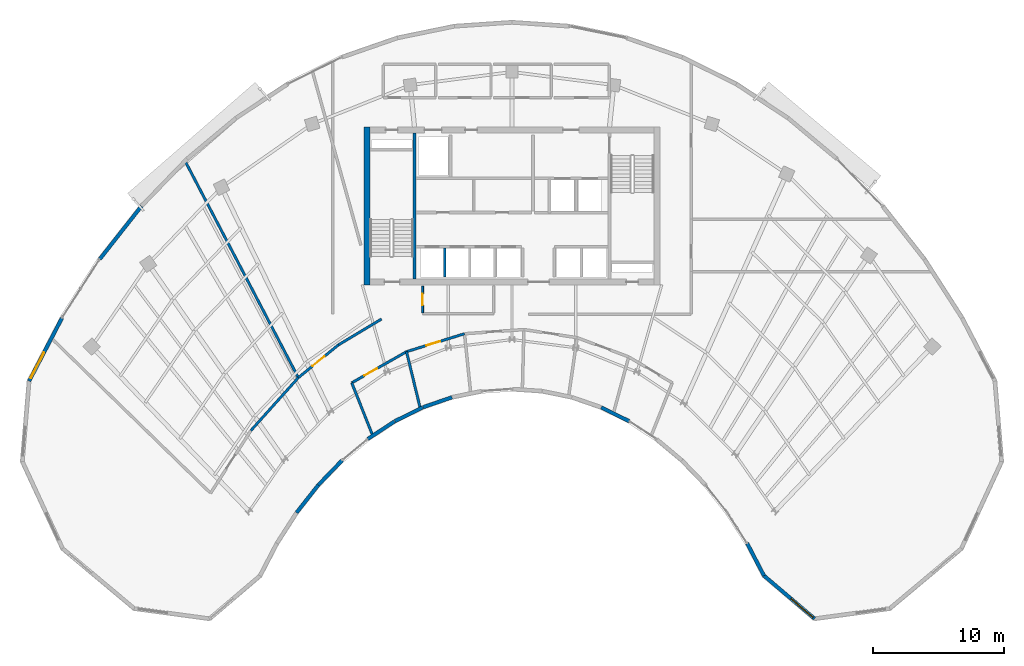
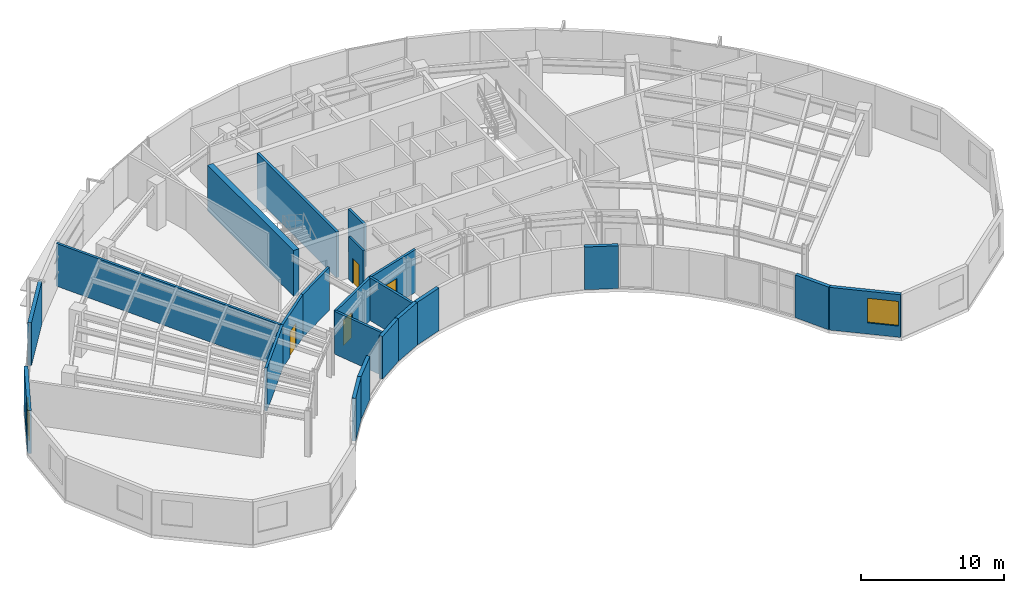
# One storey, part 8 of 14: 22 walls, 4 doors, 2 windows, 6 openings.
"""IFC4 building model written with IfcOpenShell, lengths in metres."""

from ifc_helpers import new_model, si_unit, direction, frame, frame_2d, origin, place, context, subcontext, project, spatial, rectangle, extrude, source, transform, mapped, material, layer, layer_set, type_object, type_shapes, element, fill, save


model = new_model("IFC4")

# Units and contexts
model_context = context("Model", 3, precision=1e-05, world=origin(), true_north=direction((0.0, 1.0)))
body_context = subcontext(model_context, "Body", "Model", "MODEL_VIEW")
ifc_project = project(units=[si_unit("LENGTHUNIT", "METRE"), si_unit("AREAUNIT", "SQUARE_METRE"), si_unit("VOLUMEUNIT", "CUBIC_METRE"), si_unit("PLANEANGLEUNIT", "RADIAN"), si_unit("MASSUNIT", "GRAM", prefix="KILO")], contexts=[model_context])

# Site, building, storey
site_placement = place(None, origin())
site = spatial("IfcSite", under=ifc_project, at=site_placement, CompositionType="ELEMENT")
building_placement = place(site_placement, origin())
building = spatial("IfcBuilding", under=site, at=building_placement, Name="Breltana Convention Tower", CompositionType="ELEMENT")
storey_placement = place(building_placement, frame((0.0, 0.0, 215.699951171875)))
storey = spatial("IfcBuildingStorey", under=building, at=storey_placement, Name="L52", CompositionType="ELEMENT", Elevation=215.699951171875)

# Walls
ifc_material_1 = material(Name="Concrete C60/75", Category="concrete")
ifc_layer_1 = layer(ifc_material_1, 0.449951171875, Name="Concrete C60/75")
ifc_layer_set_1 = layer_set([ifc_layer_1], Name="Concrete C60/75")
wall_type_1 = type_object("IfcWallType", Name="SW-CORE-450", PredefinedType="SHEAR", material=ifc_layer_set_1)
shared_shape_1 = source(origin(), body_context, "Body", "SweptSolid", [
    extrude(rectangle(XDim=12.0, YDim=0.449951171875, at=frame_2d((6.0, 0.0))), origin(), (0.0, 0.0, 1.0), 3.900146484375),
])
wall_1_placement = place(storey_placement, frame((36.97509765625, 60.199951171875, 0.0), z_axis=(0.0, 0.0, 1.0), x_axis=(0.0, 1.0, 0.0)))
element("IfcWall", 1, at=wall_1_placement, inside=storey, type_object=wall_type_1, Name="L52 West Core Shear Wall", PredefinedType="SHEAR", context=body_context, shape_type="MappedRepresentation", body=[
    mapped(shared_shape_1, transform((0.0, 0.0, 0.0), scale=1.0)),
])
ifc_material_2 = material(Name="Concrete C50/60", Category="concrete")
ifc_layer_2 = layer(ifc_material_2, 0.39990234375, Name="Concrete C50/60")
ifc_layer_set_2 = layer_set([ifc_layer_2], Name="Concrete C50/60")
wall_type_2 = type_object("IfcWallType", Name="SW-CORE-400", PredefinedType="SHEAR", material=ifc_layer_set_2)
shared_shape_2 = source(origin(), body_context, "Body", "SweptSolid", [
    extrude(rectangle(XDim=11.10009765625, YDim=0.219970703125, at=frame_2d((5.550048828125, 0.0))), origin(), (0.0, 0.0, 1.0), 3.900146484375),
])
wall_2_placement = place(storey_placement, frame((40.580078125, 60.64990234375, 0.0), z_axis=(0.0, 0.0, 1.0), x_axis=(0.0, 1.0, 0.0)))
element("IfcWall", 2, at=wall_2_placement, inside=storey, type_object=wall_type_2, Name="L52 Core West Stair Spine Wall", PredefinedType="SHEAR", context=body_context, shape_type="MappedRepresentation", body=[
    mapped(shared_shape_2, transform((0.0, 0.0, 0.0), scale=1.0)),
])

# Wall, opening, window
ifc_material_3 = material(Name="Limestone Buff Insulated Wall", Category="masonry")
ifc_layer_3 = layer(ifc_material_3, 0.280029296875, Name="Limestone Buff Insulated Wall")
ifc_layer_set_3 = layer_set([ifc_layer_3], Name="Limestone Buff Insulated Wall")
wall_type_3 = type_object("IfcWallType", Name="WL-EXT-NOSE-280", PredefinedType="SOLIDWALL", material=ifc_layer_set_3)
shared_shape_3 = source(origin(), body_context, "Body", "SweptSolid", [
    extrude(rectangle(XDim=5.051025390625, YDim=0.280029296875, at=frame_2d((2.525390625, 0.0))), origin(), (0.0, 0.0, 1.0), 3.64013671875),
])
wall_3_placement = place(storey_placement, frame((71.030517578125, 34.784423828125, 0.0), z_axis=(0.0, 0.0, 1.0), x_axis=(-0.761904731537, 0.647689107568, 0.0)))
wall_3 = element("IfcWall", 3, at=wall_3_placement, inside=storey, type_object=wall_type_3, Name="L52 curved limestone nose wall E5", PredefinedType="SOLIDWALL", context=body_context, shape_type="MappedRepresentation", body=[
    mapped(shared_shape_3, transform((0.0, 0.0, 0.0), scale=1.0)),
])
opening_1_placement = place(wall_3_placement, frame((0.16259765625, 0.0, 0.949951171875)))
opening_1 = element("IfcOpeningElement", 4, at=opening_1_placement, cuts=wall_3, Name="Opening W-03", PredefinedType="OPENING", context=body_context, shape_type="SweptSolid", body=[
    extrude(rectangle(XDim=2.199951171875, YDim=2.10009765625, at=frame_2d((1.10009765625, 1.050048828125))), frame((0.0, 0.14990234375, 0.0), z_axis=(0.0, -1.0, 0.0), x_axis=(1.0, 0.0, 0.0)), (0.0, 0.0, 1.0), 0.300048828125),
])
ifc_material_4 = material(Name="Glass Low-E Insulated Window", Category="glass")
window_type = type_object("IfcWindowType", Name="WN-NOSE-2200X2100", PartitioningType="TRIPLE_PANEL_VERTICAL", PredefinedType="WINDOW", material=ifc_material_4)
shared_shape_4 = source(origin(), body_context, "Body", "SweptSolid", [
    extrude(rectangle(XDim=2.199951171875, YDim=2.10009765625, at=frame_2d((1.10009765625, 1.050048828125))), frame((0.0, 0.030029296875, 0.0), z_axis=(0.0, -1.0, 0.0), x_axis=(1.0, 0.0, 0.0)), (0.0, 0.0, 1.0), 0.06005859375),
])
type_shapes(window_type, [shared_shape_4])
window_1_placement = place(opening_1_placement, origin())
window_1 = element("IfcWindow", 5, at=window_1_placement, inside=storey, type_object=window_type, Name="L52 nose window E5", OverallHeight=2.10009765625, OverallWidth=2.199951171875, PartitioningType="TRIPLE_PANEL_VERTICAL", PredefinedType="WINDOW", context=body_context, shape_type="MappedRepresentation", body=[
    mapped(shared_shape_4, transform((0.0, 0.0, 0.0), scale=1.0)),
])
fill(opening_1, window_1)

# Walls
shared_shape_5 = source(origin(), body_context, "Body", "SweptSolid", [
    extrude(rectangle(XDim=2.779296875, YDim=0.280029296875, at=frame_2d((1.3896484375, 0.0))), origin(), (0.0, 0.0, 1.0), 3.64013671875),
])
wall_4_placement = place(storey_placement, frame((67.18212890625, 38.055908203125, 0.0), z_axis=(0.0, 0.0, 1.0), x_axis=(-0.461770308601, 0.886999538948, 0.0)))
element("IfcWall", 6, at=wall_4_placement, inside=storey, type_object=wall_type_3, Name="L52 curved limestone nose wall E6", PredefinedType="SOLIDWALL", context=body_context, shape_type="MappedRepresentation", body=[
    mapped(shared_shape_5, transform((0.0, 0.0, 0.0), scale=1.0)),
])
shared_shape_6 = source(origin(), body_context, "Body", "SweptSolid", [
    extrude(rectangle(XDim=2.587646484375, YDim=0.280029296875, at=frame_2d((1.2939453125, 0.0))), origin(), (0.0, 0.0, 1.0), 3.64013671875),
])
wall_5_placement = place(storey_placement, frame((35.05810546875, 46.82763671875, 0.0), z_axis=(0.0, 0.0, 1.0), x_axis=(-0.694687114507, -0.719312041424, 0.0)))
element("IfcWall", 7, at=wall_5_placement, inside=storey, type_object=wall_type_3, Name="L52 curved limestone nose wall E17", PredefinedType="SOLIDWALL", context=body_context, shape_type="MappedRepresentation", body=[
    mapped(shared_shape_6, transform((0.0, 0.0, 0.0), scale=1.0)),
])
shared_shape_7 = source(origin(), body_context, "Body", "SweptSolid", [
    extrude(rectangle(XDim=2.440185546875, YDim=0.280029296875, at=frame_2d((1.22021484375, 0.0))), origin(), (0.0, 0.0, 1.0), 3.64013671875),
])
wall_6_placement = place(storey_placement, frame((39.05712890625, 49.80078125, 0.0), z_axis=(0.0, 0.0, 1.0), x_axis=(-0.83598480459, -0.548752591333, 0.0)))
element("IfcWall", 8, at=wall_6_placement, inside=storey, type_object=wall_type_3, Name="L52 curved limestone nose wall E16", PredefinedType="SOLIDWALL", context=body_context, shape_type="MappedRepresentation", body=[
    mapped(shared_shape_7, transform((0.0, 0.0, 0.0), scale=1.0)),
])
shared_shape_8 = source(origin(), body_context, "Body", "SweptSolid", [
    extrude(rectangle(XDim=2.327880859375, YDim=0.280029296875, at=frame_2d((1.1640625, 0.0))), origin(), (0.0, 0.0, 1.0), 3.64013671875),
])
wall_7_placement = place(storey_placement, frame((43.427001953125, 51.638671875, 0.0), z_axis=(0.0, 0.0, 1.0), x_axis=(-0.944872545641, -0.32743834915, 0.0)))
element("IfcWall", 9, at=wall_7_placement, inside=storey, type_object=wall_type_3, Name="L52 curved limestone nose wall E14", PredefinedType="SOLIDWALL", context=body_context, shape_type="MappedRepresentation", body=[
    mapped(shared_shape_8, transform((0.0, 0.0, 0.0), scale=1.0)),
])
shared_shape_9 = source(origin(), body_context, "Body", "SweptSolid", [
    extrude(rectangle(XDim=2.377685546875, YDim=0.280029296875, at=frame_2d((1.18896484375, 0.0))), origin(), (0.0, 0.0, 1.0), 3.64013671875),
])
for number, where, z_axis, x_axis, name in (
    (10, (56.923828125, 49.8115234375, 0.0), (0.0, 0.0, 1.0), (-0.895941616831, 0.444171835252, 0.0), "L52 curved limestone nose wall E9"),
    (11, (41.20654296875, 50.86767578125, 0.0), (0.0, 0.0, 1.0), (-0.895941616831, -0.444171835252, 0.0), "L52 curved limestone nose wall E15"),
):
    element("IfcWall", number, at=place(storey_placement, frame(where, z_axis=z_axis, x_axis=x_axis)), inside=storey, type_object=wall_type_3, Name=name, PredefinedType="SOLIDWALL", context=body_context, shape_type="MappedRepresentation", body=[
        mapped(shared_shape_9, transform((0.0, 0.0, 0.0), scale=1.0)),
    ])
shared_shape_10 = source(origin(), body_context, "Body", "SweptSolid", [
    extrude(rectangle(XDim=2.66552734375, YDim=0.280029296875, at=frame_2d((1.332763671875, 0.0))), origin(), (0.0, 0.0, 1.0), 3.64013671875),
])
wall_8_placement = place(storey_placement, frame((33.24853515625, 44.952392578125, 0.0), z_axis=(0.0, 0.0, 1.0), x_axis=(-0.618161284122, -0.786051287648, 0.0)))
element("IfcWall", 12, at=wall_8_placement, inside=storey, type_object=wall_type_3, Name="L52 curved limestone nose wall E18", PredefinedType="SOLIDWALL", context=body_context, shape_type="MappedRepresentation", body=[
    mapped(shared_shape_10, transform((0.0, 0.0, 0.0), scale=1.0)),
])

# Wall, opening, window
shared_shape_11 = source(origin(), body_context, "Body", "SweptSolid", [
    extrude(rectangle(XDim=5.41552734375, YDim=0.280029296875, at=frame_2d((2.707763671875, 0.0))), origin(), (0.0, 0.0, 1.0), 3.64013671875),
])
wall_9_placement = place(storey_placement, frame((11.243896484375, 52.87353515625, 0.0), z_axis=(0.0, 0.0, 1.0), x_axis=(0.46177852435, 0.886995261796, 0.0)))
wall_9 = element("IfcWall", 13, at=wall_9_placement, inside=storey, type_object=wall_type_3, Name="L52 curved limestone nose wall W7", PredefinedType="SOLIDWALL", context=body_context, shape_type="MappedRepresentation", body=[
    mapped(shared_shape_11, transform((0.0, 0.0, 0.0), scale=1.0)),
])
opening_2_placement = place(wall_9_placement, frame((0.25390625, 0.0, 0.949951171875)))
opening_2 = element("IfcOpeningElement", 14, at=opening_2_placement, cuts=wall_9, Name="Opening W-03", PredefinedType="OPENING", context=body_context, shape_type="SweptSolid", body=[
    extrude(rectangle(XDim=2.199951171875, YDim=2.10009765625, at=frame_2d((1.10009765625, 1.050048828125))), frame((0.0, 0.14990234375, 0.0), z_axis=(0.0, -1.0, 0.0), x_axis=(1.0, 0.0, 0.0)), (0.0, 0.0, 1.0), 0.300048828125),
])
window_2_placement = place(opening_2_placement, origin())
window_2 = element("IfcWindow", 15, at=window_2_placement, inside=storey, type_object=window_type, Name="L52 nose window W7", OverallHeight=2.10009765625, OverallWidth=2.199951171875, PartitioningType="TRIPLE_PANEL_VERTICAL", PredefinedType="WINDOW", context=body_context, shape_type="MappedRepresentation", body=[
    mapped(shared_shape_4, transform((0.0, 0.0, 0.0), scale=1.0)),
])
fill(opening_2, window_2)

# Walls
shared_shape_12 = source(origin(), body_context, "Body", "SweptSolid", [
    extrude(rectangle(XDim=5.153076171875, YDim=0.280029296875, at=frame_2d((2.57666015625, 0.0))), origin(), (0.0, 0.0, 1.0), 3.64013671875),
])
wall_10_placement = place(storey_placement, frame((16.609130859375, 62.1396484375, 0.0), z_axis=(0.0, 0.0, 1.0), x_axis=(0.618179283891, 0.786037132054, 0.0)))
element("IfcWall", 16, at=wall_10_placement, inside=storey, type_object=wall_type_3, Name="L52 curved limestone nose wall E20", PredefinedType="SOLIDWALL", context=body_context, shape_type="MappedRepresentation", body=[
    mapped(shared_shape_12, transform((0.0, 0.0, 0.0), scale=1.0)),
])
ifc_material_5 = material(Name="Autoclaved Aerated Concrete Block", Category="concrete")
ifc_layer_4 = layer(ifc_material_5, 0.199951171875, Name="Autoclaved Aerated Concrete Block")
ifc_layer_set_4 = layer_set([ifc_layer_4], Name="Autoclaved Aerated Concrete Block")
wall_type_4 = type_object("IfcWallType", Name="WL-SHAFT-200", PredefinedType="SOLIDWALL", material=ifc_layer_set_4)
shared_shape_13 = source(origin(), body_context, "Body", "SweptSolid", [
    extrude(rectangle(XDim=2.199951171875, YDim=0.199951171875, at=frame_2d((1.10009765625, 0.0))), origin(), (0.0, 0.0, 1.0), 3.64013671875),
])
wall_11_placement = place(storey_placement, frame((42.8701171875, 60.800048828125, 0.0), z_axis=(0.0, 0.0, 1.0), x_axis=(0.0, 1.0, 0.0)))
element("IfcWall", 17, at=wall_11_placement, inside=storey, type_object=wall_type_4, Name="L52 interior partition W-L52-SH-S-DIV1", PredefinedType="SOLIDWALL", context=body_context, shape_type="MappedRepresentation", body=[
    mapped(shared_shape_13, transform((0.0, 0.0, 0.0), scale=1.0)),
])

# Wall, opening, door
ifc_material_6 = material(Name="Gypsum Acoustic Drywall Partition")
ifc_layer_5 = layer(ifc_material_6, 0.14990234375, Name="Gypsum Acoustic Drywall Partition")
ifc_layer_set_5 = layer_set([ifc_layer_5], Name="Gypsum Acoustic Drywall Partition")
wall_type_5 = type_object("IfcWallType", Name="WL-PART-150", PredefinedType="PARTITIONING", material=ifc_layer_set_5)
shared_shape_14 = source(origin(), body_context, "Body", "SweptSolid", [
    extrude(rectangle(XDim=2.03271484375, YDim=0.14990234375, at=frame_2d((1.016357421875, 0.0))), origin(), (0.0, 0.0, 1.0), 3.64013671875),
])
wall_12_placement = place(storey_placement, frame((41.199951171875, 58.0673828125, 0.0), z_axis=(0.0, 0.0, 1.0), x_axis=(0.0, 1.0, 0.0)))
wall_12 = element("IfcWall", 18, at=wall_12_placement, inside=storey, type_object=wall_type_5, Name="L52 interior partition W-L52-CRSC-W", PredefinedType="PARTITIONING", context=body_context, shape_type="MappedRepresentation", body=[
    mapped(shared_shape_14, transform((0.0, 0.0, 0.0), scale=1.0)),
])
opening_3_placement = place(wall_12_placement, frame((0.59130859375, 0.0, 0.0)))
opening_3 = element("IfcOpeningElement", 19, at=opening_3_placement, cuts=wall_12, Name="Opening D-20", PredefinedType="OPENING", context=body_context, shape_type="SweptSolid", body=[
    extrude(rectangle(XDim=0.85009765625, YDim=2.10009765625, at=frame_2d((0.425048828125, 1.050048828125))), frame((0.0, 0.0849609375, 0.0), z_axis=(0.0, -1.0, 0.0), x_axis=(1.0, 0.0, 0.0)), (0.0, 0.0, 1.0), 0.169921875),
])
ifc_material_7 = material(Name="Steel Closet Fire Door", Category="steel")
door_type_1 = type_object("IfcDoorType", Name="DR-FD60-850", OperationType="NOTDEFINED", PredefinedType="DOOR", material=ifc_material_7)
shared_shape_15 = source(origin(), body_context, "Body", "SweptSolid", [
    extrude(rectangle(XDim=0.85009765625, YDim=2.10009765625, at=frame_2d((0.425048828125, 1.050048828125))), frame((0.0, 0.02490234375, 0.0), z_axis=(0.0, -1.0, 0.0), x_axis=(1.0, 0.0, 0.0)), (0.0, 0.0, 1.0), 0.050048828125),
])
type_shapes(door_type_1, [shared_shape_15])
door_1_placement = place(opening_3_placement, origin())
door_1 = element("IfcDoor", 20, at=door_1_placement, inside=storey, type_object=door_type_1, Name="L52 interior door D-L52-CRSC", OperationType="SINGLE_SWING_LEFT", OverallHeight=2.10009765625, OverallWidth=0.85009765625, PredefinedType="DOOR", context=body_context, shape_type="MappedRepresentation", body=[
    mapped(shared_shape_15, transform((0.0, 0.0, 0.0), scale=1.0)),
])
fill(opening_3, door_1)

ifc_material_8 = material(Name="Gypsum Acoustic Hotel Wall")
ifc_layer_6 = layer(ifc_material_8, 0.195068359375, Name="Gypsum Acoustic Hotel Wall")
ifc_layer_set_6 = layer_set([ifc_layer_6], Name="Gypsum Acoustic Hotel Wall")
wall_type_6 = type_object("IfcWallType", Name="WL-HOTEL-200", PredefinedType="PARTITIONING", material=ifc_layer_set_6)
shared_shape_16 = source(origin(), body_context, "Body", "SweptSolid", [
    extrude(rectangle(XDim=4.7958984375, YDim=0.195068359375, at=frame_2d((2.39794921875, 0.0))), origin(), (0.0, 0.0, 1.0), 3.64013671875),
])
wall_13_placement = place(storey_placement, frame((35.802978515625, 52.73828125, 0.0), z_axis=(0.0, 0.0, 1.0), x_axis=(0.869231352707, 0.494405557686, 0.0)))
wall_13 = element("IfcWall", 21, at=wall_13_placement, inside=storey, type_object=wall_type_6, Name="L52 interior partition W-L52-ES1-COR", PredefinedType="PARTITIONING", context=body_context, shape_type="MappedRepresentation", body=[
    mapped(shared_shape_16, transform((0.0, 0.0, 0.0), scale=1.0)),
])
opening_4_placement = place(wall_13_placement, frame((1.097900390625, 0.0, 0.0)))
opening_4 = element("IfcOpeningElement", 22, at=opening_4_placement, cuts=wall_13, Name="Opening D-12", PredefinedType="OPENING", context=body_context, shape_type="SweptSolid", body=[
    extrude(rectangle(XDim=1.10009765625, YDim=2.14990234375, at=frame_2d((0.550048828125, 1.074951171875))), frame((0.0, 0.107421875, 0.0), z_axis=(0.0, -1.0, 0.0), x_axis=(1.0, 0.0, 0.0)), (0.0, 0.0, 1.0), 0.215087890625),
])
ifc_material_9 = material(Name="Timber Oak Acoustic Door", Category="wood")
door_type_2 = type_object("IfcDoorType", Name="DR-INT-1100", OperationType="NOTDEFINED", PredefinedType="DOOR", material=ifc_material_9)
shared_shape_17 = source(origin(), body_context, "Body", "SweptSolid", [
    extrude(rectangle(XDim=1.10009765625, YDim=2.14990234375, at=frame_2d((0.550048828125, 1.074951171875))), frame((0.0, 0.02490234375, 0.0), z_axis=(0.0, -1.0, 0.0), x_axis=(1.0, 0.0, 0.0)), (0.0, 0.0, 1.0), 0.050048828125),
])
type_shapes(door_type_2, [shared_shape_17])
door_2_placement = place(opening_4_placement, origin())
door_2 = element("IfcDoor", 23, at=door_2_placement, inside=storey, type_object=door_type_2, Name="L52 interior door D-L52-ES1", OperationType="SINGLE_SWING_RIGHT", OverallHeight=2.14990234375, OverallWidth=1.10009765625, PredefinedType="DOOR", context=body_context, shape_type="MappedRepresentation", body=[
    mapped(shared_shape_17, transform((0.0, 0.0, 0.0), scale=1.0)),
])
fill(opening_4, door_2)

# Walls
shared_shape_18 = source(origin(), body_context, "Body", "SweptSolid", [
    extrude(rectangle(XDim=4.3203125, YDim=0.195068359375, at=frame_2d((2.16015625, 0.0))), origin(), (0.0, 0.0, 1.0), 3.64013671875),
])
wall_14_placement = place(storey_placement, frame((37.396484375, 48.72265625, 0.0), z_axis=(0.0, 0.0, 1.0), x_axis=(-0.368846295269, 0.929490403644, 0.0)))
element("IfcWall", 24, at=wall_14_placement, inside=storey, type_object=wall_type_6, Name="L52 interior partition W-L52-ES1-RA", PredefinedType="PARTITIONING", context=body_context, shape_type="MappedRepresentation", body=[
    mapped(shared_shape_18, transform((0.0, 0.0, 0.0), scale=1.0)),
])
shared_shape_19 = source(origin(), body_context, "Body", "SweptSolid", [
    extrude(rectangle(XDim=4.4482421875, YDim=0.195068359375, at=frame_2d((2.22412109375, 0.0))), origin(), (0.0, 0.0, 1.0), 3.64013671875),
])
wall_15_placement = place(storey_placement, frame((41.02001953125, 50.786376953125, 0.0), z_axis=(0.0, 0.0, 1.0), x_axis=(-0.235672283469, 0.971832585791, 0.0)))
element("IfcWall", 25, at=wall_15_placement, inside=storey, type_object=wall_type_6, Name="L52 interior partition W-L52-ES1-RB", PredefinedType="PARTITIONING", context=body_context, shape_type="MappedRepresentation", body=[
    mapped(shared_shape_19, transform((0.0, 0.0, 0.0), scale=1.0)),
])

# Wall, opening, door
shared_shape_20 = source(origin(), body_context, "Body", "SweptSolid", [
    extrude(rectangle(XDim=4.618896484375, YDim=0.195068359375, at=frame_2d((2.3095703125, 0.0))), origin(), (0.0, 0.0, 1.0), 3.64013671875),
])
wall_16_placement = place(storey_placement, frame((39.9716796875, 55.109375, 0.0), z_axis=(0.0, 0.0, 1.0), x_axis=(0.955335644135, 0.295522938274, 0.0)))
wall_16 = element("IfcWall", 26, at=wall_16_placement, inside=storey, type_object=wall_type_6, Name="L52 interior partition W-L52-ES2-COR", PredefinedType="PARTITIONING", context=body_context, shape_type="MappedRepresentation", body=[
    mapped(shared_shape_20, transform((0.0, 0.0, 0.0), scale=1.0)),
])
opening_5_placement = place(wall_16_placement, frame((1.5595703125, 0.0, 0.0)))
opening_5 = element("IfcOpeningElement", 27, at=opening_5_placement, cuts=wall_16, Name="Opening D-12", PredefinedType="OPENING", context=body_context, shape_type="SweptSolid", body=[
    extrude(rectangle(XDim=1.10009765625, YDim=2.14990234375, at=frame_2d((0.550048828125, 1.074951171875))), frame((0.0, 0.107421875, 0.0), z_axis=(0.0, -1.0, 0.0), x_axis=(1.0, 0.0, 0.0)), (0.0, 0.0, 1.0), 0.215087890625),
])
door_3_placement = place(opening_5_placement, origin())
door_3 = element("IfcDoor", 28, at=door_3_placement, inside=storey, type_object=door_type_2, Name="L52 interior door D-L52-ES2", OperationType="SINGLE_SWING_LEFT", OverallHeight=2.14990234375, OverallWidth=1.10009765625, PredefinedType="DOOR", context=body_context, shape_type="MappedRepresentation", body=[
    mapped(shared_shape_17, transform((0.0, 0.0, 0.0), scale=1.0)),
])
fill(opening_5, door_3)

# Walls
shared_shape_21 = source(origin(), body_context, "Body", "SweptSolid", [
    extrude(rectangle(XDim=5.406982421875, YDim=0.195068359375, at=frame_2d((2.70361328125, 0.0))), origin(), (0.0, 0.0, 1.0), 3.64013671875),
])
wall_17_placement = place(storey_placement, frame((28.122314453125, 49.105224609375, 0.0), z_axis=(0.0, 0.0, 1.0), x_axis=(0.667851383423, 0.744294652447, 0.0)))
element("IfcWall", 29, at=wall_17_placement, inside=storey, type_object=wall_type_6, Name="L52 interior partition W-L52-EXWR1-COR2", PredefinedType="PARTITIONING", context=body_context, shape_type="MappedRepresentation", body=[
    mapped(shared_shape_21, transform((0.0, 0.0, 0.0), scale=1.0)),
])
shared_shape_22 = source(origin(), body_context, "Body", "SweptSolid", [
    extrude(rectangle(XDim=18.5537109375, YDim=0.195068359375, at=frame_2d((9.27685546875, 0.0))), origin(), (0.0, 0.0, 1.0), 3.64013671875),
])
wall_18_placement = place(storey_placement, frame((31.71044921875, 53.173583984375, 0.0), z_axis=(0.0, 0.0, 1.0), x_axis=(-0.463116799203, 0.886297258427, 0.0)))
element("IfcWall", 30, at=wall_18_placement, inside=storey, type_object=wall_type_6, Name="L52 interior partition W-L52-EXWR1-RB", PredefinedType="PARTITIONING", context=body_context, shape_type="MappedRepresentation", body=[
    mapped(shared_shape_22, transform((0.0, 0.0, 0.0), scale=1.0)),
])

# Wall, opening, door
shared_shape_23 = source(origin(), body_context, "Body", "SweptSolid", [
    extrude(rectangle(XDim=3.9541015625, YDim=0.195068359375, at=frame_2d((1.97705078125, 0.0))), origin(), (0.0, 0.0, 1.0), 3.64013671875),
])
wall_19_placement = place(storey_placement, frame((31.7333984375, 53.129638671875, 0.0), z_axis=(0.0, 0.0, 1.0), x_axis=(0.774345047596, 0.632763579281, 0.0)))
wall_19 = element("IfcWall", 31, at=wall_19_placement, inside=storey, type_object=wall_type_6, Name="L52 interior partition W-L52-EXWR2-COR1", PredefinedType="PARTITIONING", context=body_context, shape_type="MappedRepresentation", body=[
    mapped(shared_shape_23, transform((0.0, 0.0, 0.0), scale=1.0)),
])
opening_6_placement = place(wall_19_placement, frame((1.376953125, 0.0, 0.0)))
opening_6 = element("IfcOpeningElement", 32, at=opening_6_placement, cuts=wall_19, Name="Opening D-10", PredefinedType="OPENING", context=body_context, shape_type="SweptSolid", body=[
    extrude(rectangle(XDim=1.199951171875, YDim=2.14990234375, at=frame_2d((0.60009765625, 1.074951171875))), frame((0.0, 0.107421875, 0.0), z_axis=(0.0, -1.0, 0.0), x_axis=(1.0, 0.0, 0.0)), (0.0, 0.0, 1.0), 0.215087890625),
])
ifc_material_10 = material(Name="Timber Oak Veneer Fire Door", Category="wood")
door_type_3 = type_object("IfcDoorType", Name="DR-INT-1200", OperationType="NOTDEFINED", PredefinedType="DOOR", material=ifc_material_10)
shared_shape_24 = source(origin(), body_context, "Body", "SweptSolid", [
    extrude(rectangle(XDim=1.199951171875, YDim=2.14990234375, at=frame_2d((0.60009765625, 1.074951171875))), frame((0.0, 0.02490234375, 0.0), z_axis=(0.0, -1.0, 0.0), x_axis=(1.0, 0.0, 0.0)), (0.0, 0.0, 1.0), 0.050048828125),
])
type_shapes(door_type_3, [shared_shape_24])
door_4_placement = place(opening_6_placement, origin())
door_4 = element("IfcDoor", 33, at=door_4_placement, inside=storey, type_object=door_type_3, Name="L52 interior door D-L52-EXWR2", OperationType="SINGLE_SWING_LEFT", OverallHeight=2.14990234375, OverallWidth=1.199951171875, PredefinedType="DOOR", context=body_context, shape_type="MappedRepresentation", body=[
    mapped(shared_shape_24, transform((0.0, 0.0, 0.0), scale=1.0)),
])
fill(opening_6, door_4)

# Wall
shared_shape_25 = source(origin(), body_context, "Body", "SweptSolid", [
    extrude(rectangle(XDim=3.817138671875, YDim=0.195068359375, at=frame_2d((1.90869140625, 0.0))), origin(), (0.0, 0.0, 1.0), 3.64013671875),
])
wall_20_placement = place(storey_placement, frame((34.795166015625, 55.631591796875, 0.0), z_axis=(0.0, 0.0, 1.0), x_axis=(0.857453418218, 0.514561595522, 0.0)))
element("IfcWall", 34, at=wall_20_placement, inside=storey, type_object=wall_type_6, Name="L52 interior partition W-L52-EXWR2-COR2", PredefinedType="PARTITIONING", context=body_context, shape_type="MappedRepresentation", body=[
    mapped(shared_shape_25, transform((0.0, 0.0, 0.0), scale=1.0)),
])

save(model, "model.ifc")
